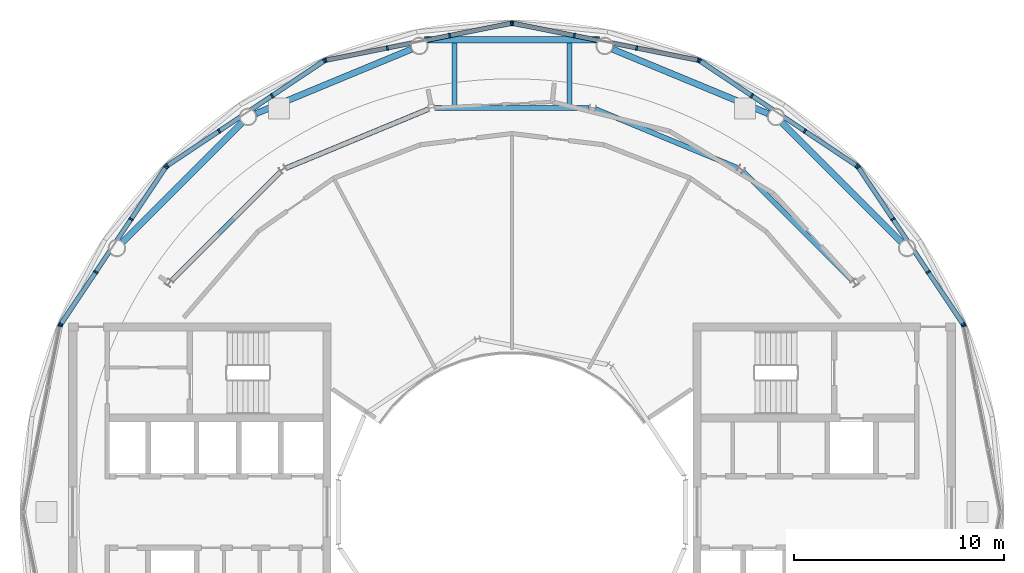
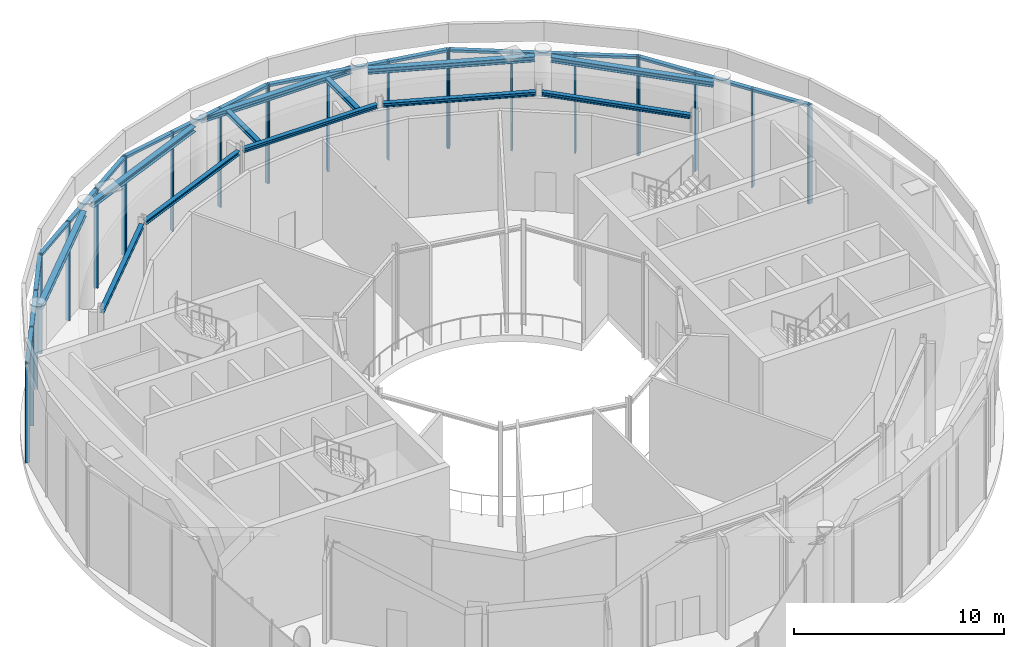
# One storey, part 8 of 20: 44 members, 12 beams, 8 elements without a shape of their own.
"""IFC4 building model written with IfcOpenShell, lengths in metres."""

from ifc_helpers import new_model, si_unit, direction, frame, origin, origin_2d, place, context, subcontext, project, spatial, rectangle, i_section, extrude, material, layer, layer_set, material_profile, profile_set, type_object, element, aggregate, save


model = new_model("IFC4")

# Units and contexts
model_context = context("Model", 3, precision=1e-05, world=origin(), true_north=direction((0.0, 1.0)))
body_context = subcontext(model_context, "Body", "Model", "MODEL_VIEW")
ifc_project = project(units=[si_unit("LENGTHUNIT", "METRE"), si_unit("AREAUNIT", "SQUARE_METRE"), si_unit("VOLUMEUNIT", "CUBIC_METRE"), si_unit("PLANEANGLEUNIT", "RADIAN"), si_unit("MASSUNIT", "GRAM", prefix="KILO")], contexts=[model_context])

# Site, building, storey
site_placement = place(None, origin())
site = spatial("IfcSite", under=ifc_project, at=site_placement, CompositionType="ELEMENT")
building_placement = place(site_placement, origin())
building = spatial("IfcBuilding", under=site, at=building_placement, Name="Maasbend Ring Residences", CompositionType="ELEMENT")
storey_placement = place(building_placement, frame((0.0, 0.0, 255.39990234375)))
storey = spatial("IfcBuildingStorey", under=building, at=storey_placement, Name="L74", CompositionType="ELEMENT", Elevation=255.39990234375)

# Curtain wall, member
ifc_material_1 = material(Name="Aluminium and clear glass", Category="aluminium")
ifc_layer = layer(ifc_material_1, 0.219970703125)
ifc_layer_set = layer_set([ifc_layer], Name="CW-OB")
curtain_wall_type = type_object("IfcCurtainWallType", Name="CW-OB", PredefinedType="NOTDEFINED", material=ifc_layer_set)
curtain_wall_1_placement = place(storey_placement, origin())
curtain_wall_1 = element("IfcCurtainWall", 1, at=curtain_wall_1_placement, inside=storey, type_object=curtain_wall_type, Name="Observation deck curtain wall 01", PredefinedType="NOTDEFINED")
ifc_material_2 = material(Name="Aluminium 6063-T6", Category="aluminium")
ifc_material_profile_1 = material_profile(ifc_material_2, rectangle(XDim=0.219970703125, YDim=0.080078125, at=origin_2d()), Name="AL 220x80")
ifc_profile_set_1 = profile_set([ifc_material_profile_1], Name="Aluminium 6063-T6")
member_type_1 = type_object("IfcMemberType", Name="CWM-OB", PredefinedType="MULLION", material=ifc_profile_set_1)
member_1_placement = place(storey_placement, frame((21.488037109375, 8.858154296875, 0.0), z_axis=(0.0, 0.0, 1.0), x_axis=(-0.980785280403, -0.195090322016, 0.0)))
member_1 = element("IfcMember", 2, at=member_1_placement, type_object=member_type_1, Name="Mullion observation deck", PredefinedType="MULLION", context=body_context, shape_type="SweptSolid", body=[
    extrude(rectangle(XDim=0.219970703125, YDim=0.080078125, at=origin_2d()), origin(), (0.0, 0.0, 1.0), 5.75),
])
aggregate(curtain_wall_1, [member_1])

# Curtain wall, members
curtain_wall_2_placement = place(storey_placement, origin())
curtain_wall_2 = element("IfcCurtainWall", 3, at=curtain_wall_2_placement, inside=storey, type_object=curtain_wall_type, Name="Observation deck curtain wall 02", PredefinedType="NOTDEFINED")
member_2_placement = place(storey_placement, frame((21.4580078125, 8.9306640625, 0.0), z_axis=(0.0, 0.0, 1.0), x_axis=(-0.831469612303, -0.55557023302, 0.0)))
member_2 = element("IfcMember", 4, at=member_2_placement, type_object=member_type_1, Name="Mullion observation deck", PredefinedType="MULLION", context=body_context, shape_type="SweptSolid", body=[
    extrude(rectangle(XDim=0.219970703125, YDim=0.080078125, at=origin_2d()), origin(), (0.0, 0.0, 1.0), 5.75),
])
member_3_placement = place(storey_placement, frame((19.80029296875, 11.41162109375, 0.0), z_axis=(0.0, 0.0, 1.0), x_axis=(-0.831469612303, -0.55557023302, 0.0)))
member_3 = element("IfcMember", 5, at=member_3_placement, type_object=member_type_1, Name="Mullion observation deck", PredefinedType="MULLION", context=body_context, shape_type="SweptSolid", body=[
    extrude(rectangle(XDim=0.219970703125, YDim=0.080078125, at=origin_2d()), origin(), (0.0, 0.0, 1.0), 5.75),
])
member_4_placement = place(storey_placement, frame((18.1201171875, 13.926025390625, 0.0), z_axis=(0.0, 0.0, 1.0), x_axis=(-0.831469612303, -0.55557023302, 0.0)))
member_4 = element("IfcMember", 6, at=member_4_placement, type_object=member_type_1, Name="Mullion observation deck", PredefinedType="MULLION", context=body_context, shape_type="SweptSolid", body=[
    extrude(rectangle(XDim=0.219970703125, YDim=0.080078125, at=origin_2d()), origin(), (0.0, 0.0, 1.0), 5.75),
])
member_5_placement = place(storey_placement, frame((16.46240234375, 16.406982421875, 0.0), z_axis=(0.0, 0.0, 1.0), x_axis=(-0.831469612303, -0.55557023302, 0.0)))
member_5 = element("IfcMember", 7, at=member_5_placement, type_object=member_type_1, Name="Mullion observation deck", PredefinedType="MULLION", context=body_context, shape_type="SweptSolid", body=[
    extrude(rectangle(XDim=0.219970703125, YDim=0.080078125, at=origin_2d()), origin(), (0.0, 0.0, 1.0), 5.75),
])

curtain_wall_3_placement = place(storey_placement, origin())
curtain_wall_3 = element("IfcCurtainWall", 8, at=curtain_wall_3_placement, inside=storey, type_object=curtain_wall_type, Name="Observation deck curtain wall 03", PredefinedType="NOTDEFINED")
member_6_placement = place(storey_placement, frame((16.406982421875, 16.46240234375, 0.0), z_axis=(0.0, 0.0, 1.0), x_axis=(-0.55557023302, -0.831469612303, 0.0)))
member_6 = element("IfcMember", 9, at=member_6_placement, type_object=member_type_1, Name="Mullion observation deck", PredefinedType="MULLION", context=body_context, shape_type="SweptSolid", body=[
    extrude(rectangle(XDim=0.219970703125, YDim=0.080078125, at=origin_2d()), origin(), (0.0, 0.0, 1.0), 5.75),
])
member_7_placement = place(storey_placement, frame((13.926025390625, 18.1201171875, 0.0), z_axis=(0.0, 0.0, 1.0), x_axis=(-0.55557023302, -0.831469612303, 0.0)))
member_7 = element("IfcMember", 10, at=member_7_placement, type_object=member_type_1, Name="Mullion observation deck", PredefinedType="MULLION", context=body_context, shape_type="SweptSolid", body=[
    extrude(rectangle(XDim=0.219970703125, YDim=0.080078125, at=origin_2d()), origin(), (0.0, 0.0, 1.0), 5.75),
])
member_8_placement = place(storey_placement, frame((11.41162109375, 19.80029296875, 0.0), z_axis=(0.0, 0.0, 1.0), x_axis=(-0.55557023302, -0.831469612303, 0.0)))
member_8 = element("IfcMember", 11, at=member_8_placement, type_object=member_type_1, Name="Mullion observation deck", PredefinedType="MULLION", context=body_context, shape_type="SweptSolid", body=[
    extrude(rectangle(XDim=0.219970703125, YDim=0.080078125, at=origin_2d()), origin(), (0.0, 0.0, 1.0), 5.75),
])
member_9_placement = place(storey_placement, frame((8.9306640625, 21.4580078125, 0.0), z_axis=(0.0, 0.0, 1.0), x_axis=(-0.55557023302, -0.831469612303, 0.0)))
member_9 = element("IfcMember", 12, at=member_9_placement, type_object=member_type_1, Name="Mullion observation deck", PredefinedType="MULLION", context=body_context, shape_type="SweptSolid", body=[
    extrude(rectangle(XDim=0.219970703125, YDim=0.080078125, at=origin_2d()), origin(), (0.0, 0.0, 1.0), 5.75),
])

curtain_wall_4_placement = place(storey_placement, origin())
curtain_wall_4 = element("IfcCurtainWall", 13, at=curtain_wall_4_placement, inside=storey, type_object=curtain_wall_type, Name="Observation deck curtain wall 04", PredefinedType="NOTDEFINED")
member_10_placement = place(storey_placement, frame((8.858154296875, 21.488037109375, 0.0), z_axis=(0.0, 0.0, 1.0), x_axis=(-0.195090322016, -0.980785280403, 0.0)))
member_10 = element("IfcMember", 14, at=member_10_placement, type_object=member_type_1, Name="Mullion observation deck", PredefinedType="MULLION", context=body_context, shape_type="SweptSolid", body=[
    extrude(rectangle(XDim=0.219970703125, YDim=0.080078125, at=origin_2d()), origin(), (0.0, 0.0, 1.0), 5.75),
])
member_11_placement = place(storey_placement, frame((5.931640625, 22.070068359375, 0.0), z_axis=(0.0, 0.0, 1.0), x_axis=(-0.195090322016, -0.980785280403, 0.0)))
member_11 = element("IfcMember", 15, at=member_11_placement, type_object=member_type_1, Name="Mullion observation deck", PredefinedType="MULLION", context=body_context, shape_type="SweptSolid", body=[
    extrude(rectangle(XDim=0.219970703125, YDim=0.080078125, at=origin_2d()), origin(), (0.0, 0.0, 1.0), 5.75),
])
member_12_placement = place(storey_placement, frame((2.9658203125, 22.66015625, 0.0), z_axis=(0.0, 0.0, 1.0), x_axis=(-0.195090322016, -0.980785280403, 0.0)))
member_12 = element("IfcMember", 16, at=member_12_placement, type_object=member_type_1, Name="Mullion observation deck", PredefinedType="MULLION", context=body_context, shape_type="SweptSolid", body=[
    extrude(rectangle(XDim=0.219970703125, YDim=0.080078125, at=origin_2d()), origin(), (0.0, 0.0, 1.0), 5.75),
])
member_13_placement = place(storey_placement, frame((0.039306640625, 23.2421875, 0.0), z_axis=(0.0, 0.0, 1.0), x_axis=(-0.195090322016, -0.980785280403, 0.0)))
member_13 = element("IfcMember", 17, at=member_13_placement, type_object=member_type_1, Name="Mullion observation deck", PredefinedType="MULLION", context=body_context, shape_type="SweptSolid", body=[
    extrude(rectangle(XDim=0.219970703125, YDim=0.080078125, at=origin_2d()), origin(), (0.0, 0.0, 1.0), 5.75),
])

curtain_wall_5_placement = place(storey_placement, origin())
curtain_wall_5 = element("IfcCurtainWall", 18, at=curtain_wall_5_placement, inside=storey, type_object=curtain_wall_type, Name="Observation deck curtain wall 05", PredefinedType="NOTDEFINED")
member_14_placement = place(storey_placement, frame((-0.039306640625, 23.2421875, 0.0), z_axis=(0.0, 0.0, 1.0), x_axis=(0.195090322016, -0.980785280403, 0.0)))
member_14 = element("IfcMember", 19, at=member_14_placement, type_object=member_type_1, Name="Mullion observation deck", PredefinedType="MULLION", context=body_context, shape_type="SweptSolid", body=[
    extrude(rectangle(XDim=0.219970703125, YDim=0.080078125, at=origin_2d()), origin(), (0.0, 0.0, 1.0), 5.75),
])
member_15_placement = place(storey_placement, frame((-2.9658203125, 22.66015625, 0.0), z_axis=(0.0, 0.0, 1.0), x_axis=(0.195090322016, -0.980785280403, 0.0)))
member_15 = element("IfcMember", 20, at=member_15_placement, type_object=member_type_1, Name="Mullion observation deck", PredefinedType="MULLION", context=body_context, shape_type="SweptSolid", body=[
    extrude(rectangle(XDim=0.219970703125, YDim=0.080078125, at=origin_2d()), origin(), (0.0, 0.0, 1.0), 5.75),
])
member_16_placement = place(storey_placement, frame((-5.931640625, 22.070068359375, 0.0), z_axis=(0.0, 0.0, 1.0), x_axis=(0.195090322016, -0.980785280403, 0.0)))
member_16 = element("IfcMember", 21, at=member_16_placement, type_object=member_type_1, Name="Mullion observation deck", PredefinedType="MULLION", context=body_context, shape_type="SweptSolid", body=[
    extrude(rectangle(XDim=0.219970703125, YDim=0.080078125, at=origin_2d()), origin(), (0.0, 0.0, 1.0), 5.75),
])
member_17_placement = place(storey_placement, frame((-8.858154296875, 21.488037109375, 0.0), z_axis=(0.0, 0.0, 1.0), x_axis=(0.195090322016, -0.980785280403, 0.0)))
member_17 = element("IfcMember", 22, at=member_17_placement, type_object=member_type_1, Name="Mullion observation deck", PredefinedType="MULLION", context=body_context, shape_type="SweptSolid", body=[
    extrude(rectangle(XDim=0.219970703125, YDim=0.080078125, at=origin_2d()), origin(), (0.0, 0.0, 1.0), 5.75),
])

curtain_wall_6_placement = place(storey_placement, origin())
curtain_wall_6 = element("IfcCurtainWall", 23, at=curtain_wall_6_placement, inside=storey, type_object=curtain_wall_type, Name="Observation deck curtain wall 06", PredefinedType="NOTDEFINED")
member_18_placement = place(storey_placement, frame((-8.9306640625, 21.4580078125, 0.0), z_axis=(0.0, 0.0, 1.0), x_axis=(0.55557023302, -0.831469612303, 0.0)))
member_18 = element("IfcMember", 24, at=member_18_placement, type_object=member_type_1, Name="Mullion observation deck", PredefinedType="MULLION", context=body_context, shape_type="SweptSolid", body=[
    extrude(rectangle(XDim=0.219970703125, YDim=0.080078125, at=origin_2d()), origin(), (0.0, 0.0, 1.0), 5.75),
])
member_19_placement = place(storey_placement, frame((-11.41162109375, 19.80029296875, 0.0), z_axis=(0.0, 0.0, 1.0), x_axis=(0.55557023302, -0.831469612303, 0.0)))
member_19 = element("IfcMember", 25, at=member_19_placement, type_object=member_type_1, Name="Mullion observation deck", PredefinedType="MULLION", context=body_context, shape_type="SweptSolid", body=[
    extrude(rectangle(XDim=0.219970703125, YDim=0.080078125, at=origin_2d()), origin(), (0.0, 0.0, 1.0), 5.75),
])
member_20_placement = place(storey_placement, frame((-13.926025390625, 18.1201171875, 0.0), z_axis=(0.0, 0.0, 1.0), x_axis=(0.55557023302, -0.831469612303, 0.0)))
member_20 = element("IfcMember", 26, at=member_20_placement, type_object=member_type_1, Name="Mullion observation deck", PredefinedType="MULLION", context=body_context, shape_type="SweptSolid", body=[
    extrude(rectangle(XDim=0.219970703125, YDim=0.080078125, at=origin_2d()), origin(), (0.0, 0.0, 1.0), 5.75),
])
member_21_placement = place(storey_placement, frame((-16.406982421875, 16.46240234375, 0.0), z_axis=(0.0, 0.0, 1.0), x_axis=(0.55557023302, -0.831469612303, 0.0)))
member_21 = element("IfcMember", 27, at=member_21_placement, type_object=member_type_1, Name="Mullion observation deck", PredefinedType="MULLION", context=body_context, shape_type="SweptSolid", body=[
    extrude(rectangle(XDim=0.219970703125, YDim=0.080078125, at=origin_2d()), origin(), (0.0, 0.0, 1.0), 5.75),
])

curtain_wall_7_placement = place(storey_placement, origin())
curtain_wall_7 = element("IfcCurtainWall", 28, at=curtain_wall_7_placement, inside=storey, type_object=curtain_wall_type, Name="Observation deck curtain wall 07", PredefinedType="NOTDEFINED")
member_22_placement = place(storey_placement, frame((-16.46240234375, 16.406982421875, 0.0), z_axis=(0.0, 0.0, 1.0), x_axis=(0.831469612303, -0.55557023302, 0.0)))
member_22 = element("IfcMember", 29, at=member_22_placement, type_object=member_type_1, Name="Mullion observation deck", PredefinedType="MULLION", context=body_context, shape_type="SweptSolid", body=[
    extrude(rectangle(XDim=0.219970703125, YDim=0.080078125, at=origin_2d()), origin(), (0.0, 0.0, 1.0), 5.75),
])
member_23_placement = place(storey_placement, frame((-18.1201171875, 13.926025390625, 0.0), z_axis=(0.0, 0.0, 1.0), x_axis=(0.831469612303, -0.55557023302, 0.0)))
member_23 = element("IfcMember", 30, at=member_23_placement, type_object=member_type_1, Name="Mullion observation deck", PredefinedType="MULLION", context=body_context, shape_type="SweptSolid", body=[
    extrude(rectangle(XDim=0.219970703125, YDim=0.080078125, at=origin_2d()), origin(), (0.0, 0.0, 1.0), 5.75),
])
member_24_placement = place(storey_placement, frame((-19.80029296875, 11.41162109375, 0.0), z_axis=(0.0, 0.0, 1.0), x_axis=(0.831469612303, -0.55557023302, 0.0)))
member_24 = element("IfcMember", 31, at=member_24_placement, type_object=member_type_1, Name="Mullion observation deck", PredefinedType="MULLION", context=body_context, shape_type="SweptSolid", body=[
    extrude(rectangle(XDim=0.219970703125, YDim=0.080078125, at=origin_2d()), origin(), (0.0, 0.0, 1.0), 5.75),
])
member_25_placement = place(storey_placement, frame((-21.4580078125, 8.9306640625, 0.0), z_axis=(0.0, 0.0, 1.0), x_axis=(0.831469612303, -0.55557023302, 0.0)))
member_25 = element("IfcMember", 32, at=member_25_placement, type_object=member_type_1, Name="Mullion observation deck", PredefinedType="MULLION", context=body_context, shape_type="SweptSolid", body=[
    extrude(rectangle(XDim=0.219970703125, YDim=0.080078125, at=origin_2d()), origin(), (0.0, 0.0, 1.0), 5.75),
])

# Curtain wall, member
curtain_wall_8_placement = place(storey_placement, origin())
curtain_wall_8 = element("IfcCurtainWall", 33, at=curtain_wall_8_placement, inside=storey, type_object=curtain_wall_type, Name="Observation deck curtain wall 08", PredefinedType="NOTDEFINED")
member_26_placement = place(storey_placement, frame((-21.488037109375, 8.858154296875, 0.0), z_axis=(0.0, 0.0, 1.0), x_axis=(0.980785280403, -0.195090322016, 0.0)))
member_26 = element("IfcMember", 34, at=member_26_placement, type_object=member_type_1, Name="Mullion observation deck", PredefinedType="MULLION", context=body_context, shape_type="SweptSolid", body=[
    extrude(rectangle(XDim=0.219970703125, YDim=0.080078125, at=origin_2d()), origin(), (0.0, 0.0, 1.0), 5.75),
])
aggregate(curtain_wall_8, [member_26])

# Member
ifc_material_3 = material(Name="Aluminium 6063-T6", Category="aluminium")
ifc_material_profile_2 = material_profile(ifc_material_3, rectangle(XDim=0.219970703125, YDim=0.139892578125, at=origin_2d()), Name="AL 220x140")
ifc_profile_set_2 = profile_set([ifc_material_profile_2], Name="Aluminium 6063-T6")
member_type_2 = type_object("IfcMemberType", Name="CWT-OB", PredefinedType="USERDEFINED", material=ifc_profile_set_2)
member_27_placement = place(storey_placement, frame((21.435791015625, 8.9638671875, 5.68017578125), z_axis=(-0.555553567332, 0.831480747717, 0.0), x_axis=(-0.831480747717, -0.555553567332, 0.0)))
member_27 = element("IfcMember", 35, at=member_27_placement, type_object=member_type_2, Name="Transom observation deck", ObjectType="TRANSOM", PredefinedType="USERDEFINED", context=body_context, shape_type="SweptSolid", body=[
    extrude(rectangle(XDim=0.219970703125, YDim=0.139892578125, at=origin_2d()), origin(), (0.0, 0.0, 1.0), 2.90380859375),
])

member_28_placement = place(storey_placement, frame((19.778076171875, 11.44482421875, 5.68017578125), z_axis=(-0.555618446659, 0.831437394956, 0.0), x_axis=(-0.831437394956, -0.555618446659, 0.0)))
member_28 = element("IfcMember", 36, at=member_28_placement, type_object=member_type_2, Name="Transom observation deck", ObjectType="TRANSOM", PredefinedType="USERDEFINED", context=body_context, shape_type="SweptSolid", body=[
    extrude(rectangle(XDim=0.219970703125, YDim=0.139892578125, at=origin_2d()), origin(), (0.0, 0.0, 1.0), 2.944091796875),
])

member_29_placement = place(storey_placement, frame((18.097900390625, 13.959228515625, 5.68017578125), z_axis=(-0.555553567332, 0.831480747717, 0.0), x_axis=(-0.831480747717, -0.555553567332, 0.0)))
member_29 = element("IfcMember", 37, at=member_29_placement, type_object=member_type_2, Name="Transom observation deck", ObjectType="TRANSOM", PredefinedType="USERDEFINED", context=body_context, shape_type="SweptSolid", body=[
    extrude(rectangle(XDim=0.219970703125, YDim=0.139892578125, at=origin_2d()), origin(), (0.0, 0.0, 1.0), 2.90380859375),
])

aggregate(curtain_wall_2, [member_2, member_3, member_4, member_5, member_27, member_28, member_29])

member_30_placement = place(storey_placement, frame((16.373779296875, 16.484619140625, 5.68017578125), z_axis=(-0.831480747717, 0.555553567332, 0.0), x_axis=(-0.555553567332, -0.831480747717, 0.0)))
member_30 = element("IfcMember", 38, at=member_30_placement, type_object=member_type_2, Name="Transom observation deck", ObjectType="TRANSOM", PredefinedType="USERDEFINED", context=body_context, shape_type="SweptSolid", body=[
    extrude(rectangle(XDim=0.219970703125, YDim=0.139892578125, at=origin_2d()), origin(), (0.0, 0.0, 1.0), 2.90380859375),
])

member_31_placement = place(storey_placement, frame((13.892578125, 18.142333984375, 5.68017578125), z_axis=(-0.831437394956, 0.555618446659, 0.0), x_axis=(-0.555618446659, -0.831437394956, 0.0)))
member_31 = element("IfcMember", 39, at=member_31_placement, type_object=member_type_2, Name="Transom observation deck", ObjectType="TRANSOM", PredefinedType="USERDEFINED", context=body_context, shape_type="SweptSolid", body=[
    extrude(rectangle(XDim=0.219970703125, YDim=0.139892578125, at=origin_2d()), origin(), (0.0, 0.0, 1.0), 2.944091796875),
])

member_32_placement = place(storey_placement, frame((11.37841796875, 19.822509765625, 5.68017578125), z_axis=(-0.831480747717, 0.555553567332, 0.0), x_axis=(-0.555553567332, -0.831480747717, 0.0)))
member_32 = element("IfcMember", 40, at=member_32_placement, type_object=member_type_2, Name="Transom observation deck", ObjectType="TRANSOM", PredefinedType="USERDEFINED", context=body_context, shape_type="SweptSolid", body=[
    extrude(rectangle(XDim=0.219970703125, YDim=0.139892578125, at=origin_2d()), origin(), (0.0, 0.0, 1.0), 2.90380859375),
])

aggregate(curtain_wall_3, [member_6, member_7, member_8, member_9, member_30, member_31, member_32])

member_33_placement = place(storey_placement, frame((8.81884765625, 21.495849609375, 5.68017578125), z_axis=(-0.980793510706, 0.195048940926, 0.0), x_axis=(-0.195048940926, -0.980793510706, 0.0)))
member_33 = element("IfcMember", 41, at=member_33_placement, type_object=member_type_2, Name="Transom observation deck", ObjectType="TRANSOM", PredefinedType="USERDEFINED", context=body_context, shape_type="SweptSolid", body=[
    extrude(rectangle(XDim=0.219970703125, YDim=0.139892578125, at=origin_2d()), origin(), (0.0, 0.0, 1.0), 2.90380859375),
])

member_34_placement = place(storey_placement, frame((5.892333984375, 22.077880859375, 5.68017578125), z_axis=(-0.980774768458, 0.195143161693, 0.0), x_axis=(-0.195143161693, -0.980774768458, 0.0)))
member_34 = element("IfcMember", 42, at=member_34_placement, type_object=member_type_2, Name="Transom observation deck", ObjectType="TRANSOM", PredefinedType="USERDEFINED", context=body_context, shape_type="SweptSolid", body=[
    extrude(rectangle(XDim=0.219970703125, YDim=0.139892578125, at=origin_2d()), origin(), (0.0, 0.0, 1.0), 2.94384765625),
])

member_35_placement = place(storey_placement, frame((2.926513671875, 22.66796875, 5.68017578125), z_axis=(-0.980793510706, 0.195048940926, 0.0), x_axis=(-0.195048940926, -0.980793510706, 0.0)))
member_35 = element("IfcMember", 43, at=member_35_placement, type_object=member_type_2, Name="Transom observation deck", ObjectType="TRANSOM", PredefinedType="USERDEFINED", context=body_context, shape_type="SweptSolid", body=[
    extrude(rectangle(XDim=0.219970703125, YDim=0.139892578125, at=origin_2d()), origin(), (0.0, 0.0, 1.0), 2.90380859375),
])

aggregate(curtain_wall_4, [member_10, member_11, member_12, member_13, member_33, member_34, member_35])

member_36_placement = place(storey_placement, frame((-0.078369140625, 23.234375, 5.68017578125), z_axis=(-0.980793510706, -0.195048940926, 0.0), x_axis=(0.195048940926, -0.980793510706, 0.0)))
member_36 = element("IfcMember", 44, at=member_36_placement, type_object=member_type_2, Name="Transom observation deck", ObjectType="TRANSOM", PredefinedType="USERDEFINED", context=body_context, shape_type="SweptSolid", body=[
    extrude(rectangle(XDim=0.219970703125, YDim=0.139892578125, at=origin_2d()), origin(), (0.0, 0.0, 1.0), 2.90380859375),
])

member_37_placement = place(storey_placement, frame((-3.005126953125, 22.65234375, 5.68017578125), z_axis=(-0.980774768458, -0.195143161693, 0.0), x_axis=(0.195143161693, -0.980774768458, 0.0)))
member_37 = element("IfcMember", 45, at=member_37_placement, type_object=member_type_2, Name="Transom observation deck", ObjectType="TRANSOM", PredefinedType="USERDEFINED", context=body_context, shape_type="SweptSolid", body=[
    extrude(rectangle(XDim=0.219970703125, YDim=0.139892578125, at=origin_2d()), origin(), (0.0, 0.0, 1.0), 2.94384765625),
])

member_38_placement = place(storey_placement, frame((-5.970703125, 22.062255859375, 5.68017578125), z_axis=(-0.980793510706, -0.195048940926, 0.0), x_axis=(0.195048940926, -0.980793510706, 0.0)))
member_38 = element("IfcMember", 46, at=member_38_placement, type_object=member_type_2, Name="Transom observation deck", ObjectType="TRANSOM", PredefinedType="USERDEFINED", context=body_context, shape_type="SweptSolid", body=[
    extrude(rectangle(XDim=0.219970703125, YDim=0.139892578125, at=origin_2d()), origin(), (0.0, 0.0, 1.0), 2.90380859375),
])

aggregate(curtain_wall_5, [member_14, member_15, member_16, member_17, member_36, member_37, member_38])

member_39_placement = place(storey_placement, frame((-8.9638671875, 21.435791015625, 5.68017578125), z_axis=(-0.831480747717, -0.555553567332, 0.0), x_axis=(0.555553567332, -0.831480747717, 0.0)))
member_39 = element("IfcMember", 47, at=member_39_placement, type_object=member_type_2, Name="Transom observation deck", ObjectType="TRANSOM", PredefinedType="USERDEFINED", context=body_context, shape_type="SweptSolid", body=[
    extrude(rectangle(XDim=0.219970703125, YDim=0.139892578125, at=origin_2d()), origin(), (0.0, 0.0, 1.0), 2.90380859375),
])

member_40_placement = place(storey_placement, frame((-11.44482421875, 19.778076171875, 5.68017578125), z_axis=(-0.831437394956, -0.555618446659, 0.0), x_axis=(0.555618446659, -0.831437394956, 0.0)))
member_40 = element("IfcMember", 48, at=member_40_placement, type_object=member_type_2, Name="Transom observation deck", ObjectType="TRANSOM", PredefinedType="USERDEFINED", context=body_context, shape_type="SweptSolid", body=[
    extrude(rectangle(XDim=0.219970703125, YDim=0.139892578125, at=origin_2d()), origin(), (0.0, 0.0, 1.0), 2.944091796875),
])

member_41_placement = place(storey_placement, frame((-13.959228515625, 18.097900390625, 5.68017578125), z_axis=(-0.831480747717, -0.555553567332, 0.0), x_axis=(0.555553567332, -0.831480747717, 0.0)))
member_41 = element("IfcMember", 49, at=member_41_placement, type_object=member_type_2, Name="Transom observation deck", ObjectType="TRANSOM", PredefinedType="USERDEFINED", context=body_context, shape_type="SweptSolid", body=[
    extrude(rectangle(XDim=0.219970703125, YDim=0.139892578125, at=origin_2d()), origin(), (0.0, 0.0, 1.0), 2.90380859375),
])

aggregate(curtain_wall_6, [member_18, member_19, member_20, member_21, member_39, member_40, member_41])

member_42_placement = place(storey_placement, frame((-16.484619140625, 16.373779296875, 5.68017578125), z_axis=(-0.555553567332, -0.831480747717, 0.0), x_axis=(0.831480747717, -0.555553567332, 0.0)))
member_42 = element("IfcMember", 50, at=member_42_placement, type_object=member_type_2, Name="Transom observation deck", ObjectType="TRANSOM", PredefinedType="USERDEFINED", context=body_context, shape_type="SweptSolid", body=[
    extrude(rectangle(XDim=0.219970703125, YDim=0.139892578125, at=origin_2d()), origin(), (0.0, 0.0, 1.0), 2.90380859375),
])

member_43_placement = place(storey_placement, frame((-18.142333984375, 13.892578125, 5.68017578125), z_axis=(-0.555618446659, -0.831437394956, 0.0), x_axis=(0.831437394956, -0.555618446659, 0.0)))
member_43 = element("IfcMember", 51, at=member_43_placement, type_object=member_type_2, Name="Transom observation deck", ObjectType="TRANSOM", PredefinedType="USERDEFINED", context=body_context, shape_type="SweptSolid", body=[
    extrude(rectangle(XDim=0.219970703125, YDim=0.139892578125, at=origin_2d()), origin(), (0.0, 0.0, 1.0), 2.944091796875),
])

member_44_placement = place(storey_placement, frame((-19.822509765625, 11.37841796875, 5.68017578125), z_axis=(-0.555553567332, -0.831480747717, 0.0), x_axis=(0.831480747717, -0.555553567332, 0.0)))
member_44 = element("IfcMember", 52, at=member_44_placement, type_object=member_type_2, Name="Transom observation deck", ObjectType="TRANSOM", PredefinedType="USERDEFINED", context=body_context, shape_type="SweptSolid", body=[
    extrude(rectangle(XDim=0.219970703125, YDim=0.139892578125, at=origin_2d()), origin(), (0.0, 0.0, 1.0), 2.90380859375),
])

aggregate(curtain_wall_7, [member_22, member_23, member_24, member_25, member_42, member_43, member_44])

# Beams
ifc_material_4 = material(Name="Steel S355J2", Category="steel")
ifc_material_profile_3 = material_profile(ifc_material_4, i_section(OverallWidth=0.239990234375, OverallDepth=0.22998046875, WebThickness=0.007568359375, FlangeThickness=0.011962890625, FilletRadius=0.02099609375, at=origin_2d()), Name="HEA 240")
ifc_profile_set_3 = profile_set([ifc_material_profile_3], Name="Steel S355J2")
beam_type_1 = type_object("IfcBeamType", Name="Corridor ring beam HEA 240", PredefinedType="BEAM", material=ifc_profile_set_3)
beam_1_placement = place(storey_placement, frame((16.188720703125, 10.997314453125, 5.635009765625), z_axis=(-0.707106781187, 0.707106781187, 0.0), x_axis=(-0.707106781187, -0.707106781187, 0.0)))
element("IfcBeam", 53, at=beam_1_placement, inside=storey, type_object=beam_type_1, Name="Corridor ring beam", PredefinedType="BEAM", context=body_context, shape_type="SweptSolid", body=[
    extrude(i_section(OverallWidth=0.239990234375, OverallDepth=0.22998046875, WebThickness=0.007568359375, FlangeThickness=0.011962890625, FilletRadius=0.02099609375, at=origin_2d()), origin(), (0.0, 0.0, 1.0), 7.341796875),
])
beam_2_placement = place(storey_placement, frame((10.747802734375, 16.355224609375, 5.635009765625), z_axis=(-0.923875784142, 0.382692481603, 0.0), x_axis=(-0.382692481603, -0.923875784142, 0.0)))
element("IfcBeam", 54, at=beam_2_placement, inside=storey, type_object=beam_type_1, Name="Corridor ring beam", PredefinedType="BEAM", context=body_context, shape_type="SweptSolid", body=[
    extrude(i_section(OverallWidth=0.239990234375, OverallDepth=0.22998046875, WebThickness=0.007568359375, FlangeThickness=0.011962890625, FilletRadius=0.02099609375, at=origin_2d()), origin(), (0.0, 0.0, 1.0), 7.341552734375),
])
beam_3_placement = place(storey_placement, frame((3.6708984375, 19.223388671875, 5.635009765625), z_axis=(-1.0, 0.0, 0.0), x_axis=(0.0, -1.0, 0.0)))
element("IfcBeam", 55, at=beam_3_placement, inside=storey, type_object=beam_type_1, Name="Corridor ring beam", PredefinedType="BEAM", context=body_context, shape_type="SweptSolid", body=[
    extrude(i_section(OverallWidth=0.239990234375, OverallDepth=0.22998046875, WebThickness=0.007568359375, FlangeThickness=0.011962890625, FilletRadius=0.02099609375, at=origin_2d()), origin(), (0.0, 0.0, 1.0), 7.341796875),
])
beam_4_placement = place(storey_placement, frame((-3.965087890625, 19.164794921875, 5.635009765625), z_axis=(-0.923875784142, -0.382692481603, 0.0), x_axis=(0.382692481603, -0.923875784142, 0.0)))
element("IfcBeam", 56, at=beam_4_placement, inside=storey, type_object=beam_type_1, Name="Corridor ring beam", PredefinedType="BEAM", context=body_context, shape_type="SweptSolid", body=[
    extrude(i_section(OverallWidth=0.239990234375, OverallDepth=0.22998046875, WebThickness=0.007568359375, FlangeThickness=0.011962890625, FilletRadius=0.02099609375, at=origin_2d()), origin(), (0.0, 0.0, 1.0), 7.341552734375),
])
beam_5_placement = place(storey_placement, frame((-10.997314453125, 16.188720703125, 5.635009765625), z_axis=(-0.707106781187, -0.707106781187, 0.0), x_axis=(0.707106781187, -0.707106781187, 0.0)))
element("IfcBeam", 57, at=beam_5_placement, inside=storey, type_object=beam_type_1, Name="Corridor ring beam", PredefinedType="BEAM", context=body_context, shape_type="SweptSolid", body=[
    extrude(i_section(OverallWidth=0.239990234375, OverallDepth=0.22998046875, WebThickness=0.007568359375, FlangeThickness=0.011962890625, FilletRadius=0.02099609375, at=origin_2d()), origin(), (0.0, 0.0, 1.0), 7.341796875),
])
ifc_material_5 = material(Name="Steel S355J2", Category="steel")
ifc_material_profile_4 = material_profile(ifc_material_5, i_section(OverallWidth=0.239990234375, OverallDepth=0.22998046875, WebThickness=0.007568359375, FlangeThickness=0.011962890625, FilletRadius=0.02099609375, at=origin_2d()), Name="HEA 240")
ifc_profile_set_4 = profile_set([ifc_material_profile_4], Name="Steel S355J2")
beam_type_2 = type_object("IfcBeamType", Name="Crown ring beam HEA 240", PredefinedType="BEAM", material=ifc_profile_set_4)
for number, where, z_axis, x_axis, name in (
    (58, (2.72412109375, 19.343505859375, 5.635009765625), (0.0, 1.0, 0.0), (-1.0, 0.0, 0.0), "Crown rib seat beam"),
    (59, (-2.72412109375, 19.343505859375, 5.635009765625), (0.0, 1.0, 0.0), (-1.0, 0.0, 0.0), "Crown rib seat beam"),
):
    element("IfcBeam", number, at=place(storey_placement, frame(where, z_axis=z_axis, x_axis=x_axis)), inside=storey, type_object=beam_type_2, Name=name, PredefinedType="BEAM", context=body_context, shape_type="SweptSolid", body=[
        extrude(i_section(OverallWidth=0.239990234375, OverallDepth=0.22998046875, WebThickness=0.007568359375, FlangeThickness=0.011962890625, FilletRadius=0.02099609375, at=origin_2d()), origin(), (0.0, 0.0, 1.0), 2.97216796875),
    ])
ifc_material_6 = material(Name="Steel S355J2", Category="steel")
ifc_material_profile_5 = material_profile(ifc_material_6, i_section(OverallWidth=0.300048828125, OverallDepth=0.300048828125, WebThickness=0.010986328125, FlangeThickness=0.01904296875, FilletRadius=0.027099609375, at=origin_2d()), Name="HEB 300")
ifc_profile_set_5 = profile_set([ifc_material_profile_5], Name="Steel S355J2")
beam_type_3 = type_object("IfcBeamType", Name="Spandrel ring beam HEB 300", PredefinedType="SPANDREL", material=ifc_profile_set_5)
beam_6_placement = place(storey_placement, frame((18.50390625, 12.84326171875, 5.60009765625), z_axis=(-0.707106781187, 0.707106781187, 0.0), x_axis=(-0.707106781187, -0.707106781187, 0.0)))
element("IfcBeam", 60, at=beam_6_placement, inside=storey, type_object=beam_type_3, Name="Spandrel ring beam", PredefinedType="SPANDREL", context=body_context, shape_type="SweptSolid", body=[
    extrude(i_section(OverallWidth=0.300048828125, OverallDepth=0.300048828125, WebThickness=0.010986328125, FlangeThickness=0.01904296875, FilletRadius=0.027099609375, at=origin_2d()), origin(), (0.0, 0.0, 1.0), 8.00537109375),
])
beam_7_placement = place(storey_placement, frame((12.180419921875, 18.94677734375, 5.60009765625), z_axis=(-0.923887850638, 0.382663350013, 0.0), x_axis=(-0.382663350013, -0.923887850638, 0.0)))
element("IfcBeam", 61, at=beam_7_placement, inside=storey, type_object=beam_type_3, Name="Spandrel ring beam", PredefinedType="SPANDREL", context=body_context, shape_type="SweptSolid", body=[
    extrude(i_section(OverallWidth=0.300048828125, OverallDepth=0.300048828125, WebThickness=0.010986328125, FlangeThickness=0.01904296875, FilletRadius=0.027099609375, at=origin_2d()), origin(), (0.0, 0.0, 1.0), 8.005126953125),
])
beam_8_placement = place(storey_placement, frame((4.152587890625, 22.4658203125, 5.60009765625), z_axis=(-1.0, 0.0, 0.0), x_axis=(0.0, -1.0, 0.0)))
element("IfcBeam", 62, at=beam_8_placement, inside=storey, type_object=beam_type_3, Name="Spandrel ring beam", PredefinedType="SPANDREL", context=body_context, shape_type="SweptSolid", body=[
    extrude(i_section(OverallWidth=0.300048828125, OverallDepth=0.300048828125, WebThickness=0.010986328125, FlangeThickness=0.01904296875, FilletRadius=0.027099609375, at=origin_2d()), origin(), (0.0, 0.0, 1.0), 8.30517578125),
])
beam_9_placement = place(storey_placement, frame((-4.78466796875, 22.010009765625, 5.60009765625), z_axis=(-0.923887850638, -0.382663350013, 0.0), x_axis=(0.382663350013, -0.923887850638, 0.0)))
element("IfcBeam", 63, at=beam_9_placement, inside=storey, type_object=beam_type_3, Name="Spandrel ring beam", PredefinedType="SPANDREL", context=body_context, shape_type="SweptSolid", body=[
    extrude(i_section(OverallWidth=0.300048828125, OverallDepth=0.300048828125, WebThickness=0.010986328125, FlangeThickness=0.01904296875, FilletRadius=0.027099609375, at=origin_2d()), origin(), (0.0, 0.0, 1.0), 8.005126953125),
])
beam_10_placement = place(storey_placement, frame((-12.84326171875, 18.50390625, 5.60009765625), z_axis=(-0.707106781187, -0.707106781187, 0.0), x_axis=(0.707106781187, -0.707106781187, 0.0)))
element("IfcBeam", 64, at=beam_10_placement, inside=storey, type_object=beam_type_3, Name="Spandrel ring beam", PredefinedType="SPANDREL", context=body_context, shape_type="SweptSolid", body=[
    extrude(i_section(OverallWidth=0.300048828125, OverallDepth=0.300048828125, WebThickness=0.010986328125, FlangeThickness=0.01904296875, FilletRadius=0.027099609375, at=origin_2d()), origin(), (0.0, 0.0, 1.0), 8.00537109375),
])

save(model, "model.ifc")
